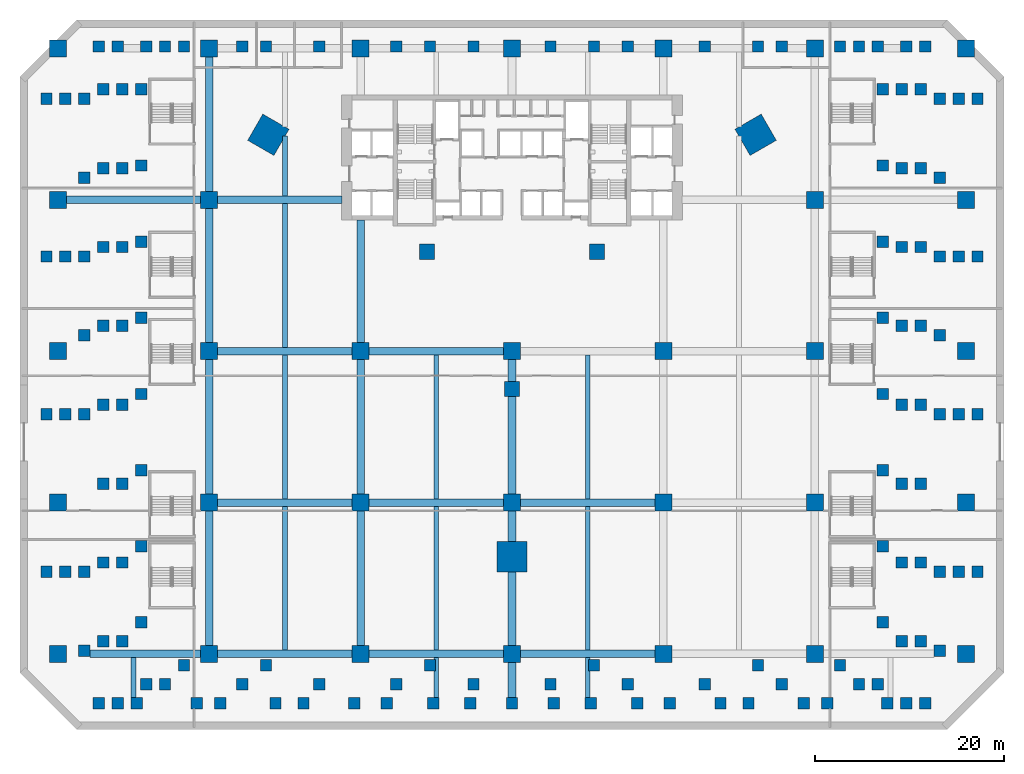
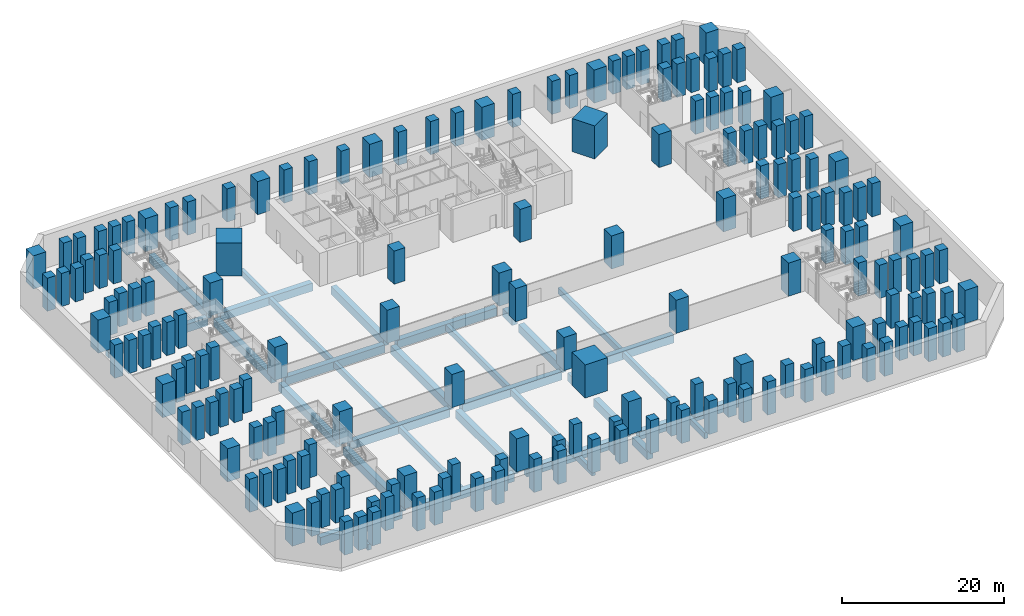
# One storey, part 1 of 24: 179 columns, 34 beams.
"""IFC4 building model written with IfcOpenShell, lengths in metres."""

from ifc_helpers import new_model, si_unit, direction, frame, origin, origin_2d, place, context, subcontext, project, spatial, rectangle, extrude, material, material_profile, profile_set, type_object, element, save


model = new_model("IFC4")

# Units and contexts
model_context = context("Model", 3, precision=1e-05, world=origin(), true_north=direction((0.0, 1.0)))
body_context = subcontext(model_context, "Body", "Model", "MODEL_VIEW")
ifc_project = project(units=[si_unit("LENGTHUNIT", "METRE"), si_unit("AREAUNIT", "SQUARE_METRE"), si_unit("VOLUMEUNIT", "CUBIC_METRE"), si_unit("PLANEANGLEUNIT", "RADIAN"), si_unit("MASSUNIT", "GRAM", prefix="KILO")], contexts=[model_context])

# Site, building, storey
site_placement = place(None, origin())
site = spatial("IfcSite", under=ifc_project, at=site_placement, CompositionType="ELEMENT")
building_placement = place(site_placement, origin())
building = spatial("IfcBuilding", under=site, at=building_placement, Name="Calabash Gate Tower", CompositionType="ELEMENT")
storey_placement = place(building_placement, frame((0.0, 0.0, -5.0)))
storey = spatial("IfcBuildingStorey", under=building, at=storey_placement, Name="B1", CompositionType="ELEMENT", Elevation=-5.0)

# Columns
ifc_material_1 = material(Name="Concrete C80/95", Category="concrete")
ifc_material_profile_1 = material_profile(ifc_material_1, rectangle(XDim=1.60009765625, YDim=1.60009765625, at=origin_2d()))
ifc_profile_set_1 = profile_set([ifc_material_profile_1], Name="Concrete C80/95")
column_type_1 = type_object("IfcColumnType", Name="Interior column RC 1600x1600 Concrete C80/95", PredefinedType="COLUMN", material=ifc_profile_set_1)
for number, where, z_axis, x_axis, name in (
    (1, (-9.0, 2.5, 0.0), (0.0, 0.0, 1.0), (1.0, 0.0, 0.0), "Interior column B1 I0"),
    (2, (9.0, 2.5, 0.0), (0.0, 0.0, 1.0), (1.0, 0.0, 0.0), "Interior column B1 I1"),
    (3, (0.0, -12.0, 0.0), (0.0, 0.0, 1.0), (1.0, 0.0, 0.0), "Interior column B1 I2"),
):
    element("IfcColumn", number, at=place(storey_placement, frame(where, z_axis=z_axis, x_axis=x_axis)), inside=storey, type_object=column_type_1, Name=name, PredefinedType="COLUMN", context=body_context, shape_type="SweptSolid", body=[
        extrude(rectangle(XDim=1.60009765625, YDim=1.60009765625, at=origin_2d()), origin(), (0.0, 0.0, 1.0), 5.0),
    ])
ifc_material_2 = material(Name="Concrete C80/95", Category="concrete")
ifc_material_profile_2 = material_profile(ifc_material_2, rectangle(XDim=3.199951171875, YDim=3.199951171875, at=origin_2d()))
ifc_profile_set_2 = profile_set([ifc_material_profile_2], Name="Concrete C80/95")
column_type_2 = type_object("IfcColumnType", Name="Mega column RC 3200x3200 Concrete C80/95", PredefinedType="COLUMN", material=ifc_profile_set_2)
for number, where, z_axis, x_axis, name in (
    (4, (-25.75, 14.866943359375, 0.0), (0.0, 0.0, 1.0), (0.866025386331, -0.50000003023, 0.0), "Mega column B1 NW"),
    (5, (25.75, 14.866943359375, 0.0), (0.0, 0.0, 1.0), (-0.866025386331, -0.50000003023, 0.0), "Mega column B1 NE"),
    (6, (0.0, -29.73291015625, 0.0), (0.0, 0.0, 1.0), (0.0, 1.0, 0.0), "Mega column B1 S"),
):
    element("IfcColumn", number, at=place(storey_placement, frame(where, z_axis=z_axis, x_axis=x_axis)), inside=storey, type_object=column_type_2, Name=name, PredefinedType="COLUMN", context=body_context, shape_type="SweptSolid", body=[
        extrude(rectangle(XDim=3.199951171875, YDim=3.199951171875, at=origin_2d()), origin(), (0.0, 0.0, 1.0), 5.0),
    ])
ifc_material_3 = material(Name="Concrete C80/95", Category="concrete")
ifc_material_profile_3 = material_profile(ifc_material_3, rectangle(XDim=1.800048828125, YDim=1.800048828125, at=origin_2d()))
ifc_profile_set_3 = profile_set([ifc_material_profile_3], Name="Concrete C80/95")
column_type_3 = type_object("IfcColumnType", Name="Podium column RC 1800x1800 Concrete C80/95", PredefinedType="COLUMN", material=ifc_profile_set_3)
for number, where, z_axis, x_axis, name in (
    (7, (-48.0, -40.0, 0.0), (0.0, 0.0, 1.0), (1.0, 0.0, 0.0), "Podium column B1 G1A"),
    (8, (-48.0, -24.0, 0.0), (0.0, 0.0, 1.0), (1.0, 0.0, 0.0), "Podium column B1 G1B"),
    (9, (-48.0, -8.0, 0.0), (0.0, 0.0, 1.0), (1.0, 0.0, 0.0), "Podium column B1 G1C"),
    (10, (-48.0, 8.0, 0.0), (0.0, 0.0, 1.0), (1.0, 0.0, 0.0), "Podium column B1 G1D"),
    (11, (-48.0, 24.0, 0.0), (0.0, 0.0, 1.0), (1.0, 0.0, 0.0), "Podium column B1 G1E"),
    (12, (-32.0, -40.0, 0.0), (0.0, 0.0, 1.0), (1.0, 0.0, 0.0), "Podium column B1 G2A"),
    (13, (-32.0, -24.0, 0.0), (0.0, 0.0, 1.0), (1.0, 0.0, 0.0), "Podium column B1 G2B"),
    (14, (-32.0, -8.0, 0.0), (0.0, 0.0, 1.0), (1.0, 0.0, 0.0), "Podium column B1 G2C"),
    (15, (-32.0, 8.0, 0.0), (0.0, 0.0, 1.0), (1.0, 0.0, 0.0), "Podium column B1 G2D"),
    (16, (-32.0, 24.0, 0.0), (0.0, 0.0, 1.0), (1.0, 0.0, 0.0), "Podium column B1 G2E"),
    (17, (-16.0, -40.0, 0.0), (0.0, 0.0, 1.0), (1.0, 0.0, 0.0), "Podium column B1 G3A"),
    (18, (-16.0, -24.0, 0.0), (0.0, 0.0, 1.0), (1.0, 0.0, 0.0), "Podium column B1 G3B"),
    (19, (-16.0, -8.0, 0.0), (0.0, 0.0, 1.0), (1.0, 0.0, 0.0), "Podium column B1 G3C"),
    (20, (-16.0, 24.0, 0.0), (0.0, 0.0, 1.0), (1.0, 0.0, 0.0), "Podium column B1 G3E"),
    (21, (0.0, -40.0, 0.0), (0.0, 0.0, 1.0), (1.0, 0.0, 0.0), "Podium column B1 G4A"),
    (22, (0.0, -24.0, 0.0), (0.0, 0.0, 1.0), (1.0, 0.0, 0.0), "Podium column B1 G4B"),
    (23, (0.0, -8.0, 0.0), (0.0, 0.0, 1.0), (1.0, 0.0, 0.0), "Podium column B1 G4C"),
    (24, (0.0, 24.0, 0.0), (0.0, 0.0, 1.0), (1.0, 0.0, 0.0), "Podium column B1 G4E"),
    (25, (16.0, -40.0, 0.0), (0.0, 0.0, 1.0), (1.0, 0.0, 0.0), "Podium column B1 G5A"),
    (26, (16.0, -24.0, 0.0), (0.0, 0.0, 1.0), (1.0, 0.0, 0.0), "Podium column B1 G5B"),
    (27, (16.0, -8.0, 0.0), (0.0, 0.0, 1.0), (1.0, 0.0, 0.0), "Podium column B1 G5C"),
    (28, (16.0, 24.0, 0.0), (0.0, 0.0, 1.0), (1.0, 0.0, 0.0), "Podium column B1 G5E"),
    (29, (32.0, -40.0, 0.0), (0.0, 0.0, 1.0), (1.0, 0.0, 0.0), "Podium column B1 G6A"),
    (30, (32.0, -24.0, 0.0), (0.0, 0.0, 1.0), (1.0, 0.0, 0.0), "Podium column B1 G6B"),
    (31, (32.0, -8.0, 0.0), (0.0, 0.0, 1.0), (1.0, 0.0, 0.0), "Podium column B1 G6C"),
    (32, (32.0, 8.0, 0.0), (0.0, 0.0, 1.0), (1.0, 0.0, 0.0), "Podium column B1 G6D"),
    (33, (32.0, 24.0, 0.0), (0.0, 0.0, 1.0), (1.0, 0.0, 0.0), "Podium column B1 G6E"),
    (34, (48.0, -40.0, 0.0), (0.0, 0.0, 1.0), (1.0, 0.0, 0.0), "Podium column B1 G7A"),
    (35, (48.0, -24.0, 0.0), (0.0, 0.0, 1.0), (1.0, 0.0, 0.0), "Podium column B1 G7B"),
    (36, (48.0, -8.0, 0.0), (0.0, 0.0, 1.0), (1.0, 0.0, 0.0), "Podium column B1 G7C"),
    (37, (48.0, 8.0, 0.0), (0.0, 0.0, 1.0), (1.0, 0.0, 0.0), "Podium column B1 G7D"),
    (38, (48.0, 24.0, 0.0), (0.0, 0.0, 1.0), (1.0, 0.0, 0.0), "Podium column B1 G7E"),
):
    element("IfcColumn", number, at=place(storey_placement, frame(where, z_axis=z_axis, x_axis=x_axis)), inside=storey, type_object=column_type_3, Name=name, PredefinedType="COLUMN", context=body_context, shape_type="SweptSolid", body=[
        extrude(rectangle(XDim=1.800048828125, YDim=1.800048828125, at=origin_2d()), origin(), (0.0, 0.0, 1.0), 5.0),
    ])
ifc_material_4 = material(Name="Concrete C80/95", Category="concrete")
ifc_material_profile_4 = material_profile(ifc_material_4, rectangle(XDim=1.199951171875, YDim=1.199951171875, at=origin_2d()))
ifc_profile_set_4 = profile_set([ifc_material_profile_4], Name="Concrete C80/95")
column_type_4 = type_object("IfcColumnType", Name="Podium edge column RC 1200x1200 Concrete C80/95", PredefinedType="COLUMN", material=ifc_profile_set_4)
for number, where, z_axis, x_axis, name in (
    (39, (-34.6689453125, -41.199951171875, 0.0), (0.0, 0.0, 1.0), (1.0, 0.0, 0.0), "Podium edge column B1 E01"),
    (40, (-39.199951171875, -36.6689453125, 0.0), (0.0, 0.0, 1.0), (1.0, 0.0, 0.0), "Podium edge column B1 E02"),
    (41, (-39.199951171875, 19.6689453125, 0.0), (0.0, 0.0, 1.0), (1.0, 0.0, 0.0), "Podium edge column B1 E03"),
    (42, (-34.6689453125, 24.199951171875, 0.0), (0.0, 0.0, 1.0), (1.0, 0.0, 0.0), "Podium edge column B1 E04"),
    (43, (34.6689453125, 24.199951171875, 0.0), (0.0, 0.0, 1.0), (1.0, 0.0, 0.0), "Podium edge column B1 E05"),
    (44, (39.199951171875, 19.6689453125, 0.0), (0.0, 0.0, 1.0), (1.0, 0.0, 0.0), "Podium edge column B1 E06"),
    (45, (39.199951171875, -36.6689453125, 0.0), (0.0, 0.0, 1.0), (1.0, 0.0, 0.0), "Podium edge column B1 E07"),
    (46, (34.6689453125, -41.199951171875, 0.0), (0.0, 0.0, 1.0), (1.0, 0.0, 0.0), "Podium edge column B1 E08"),
    (47, (-39.199951171875, -28.6201171875, 0.0), (0.0, 0.0, 1.0), (1.0, 0.0, 0.0), "Podium edge column B1 E09"),
    (48, (-39.199951171875, -20.572021484375, 0.0), (0.0, 0.0, 1.0), (1.0, 0.0, 0.0), "Podium edge column B1 E10"),
    (49, (-39.199951171875, -12.52392578125, 0.0), (0.0, 0.0, 1.0), (1.0, 0.0, 0.0), "Podium edge column B1 E11"),
    (50, (-39.199951171875, -4.47607421875, 0.0), (0.0, 0.0, 1.0), (1.0, 0.0, 0.0), "Podium edge column B1 E12"),
    (51, (-39.199951171875, 3.572021484375, 0.0), (0.0, 0.0, 1.0), (1.0, 0.0, 0.0), "Podium edge column B1 E13"),
    (52, (-39.199951171875, 11.6201171875, 0.0), (0.0, 0.0, 1.0), (1.0, 0.0, 0.0), "Podium edge column B1 E14"),
    (53, (-26.001953125, 24.199951171875, 0.0), (0.0, 0.0, 1.0), (1.0, 0.0, 0.0), "Podium edge column B1 E15"),
    (54, (-8.6669921875, 24.199951171875, 0.0), (0.0, 0.0, 1.0), (1.0, 0.0, 0.0), "Podium edge column B1 E16"),
    (55, (8.6669921875, 24.199951171875, 0.0), (0.0, 0.0, 1.0), (1.0, 0.0, 0.0), "Podium edge column B1 E17"),
    (56, (26.001953125, 24.199951171875, 0.0), (0.0, 0.0, 1.0), (1.0, 0.0, 0.0), "Podium edge column B1 E18"),
    (57, (39.199951171875, 11.6201171875, 0.0), (0.0, 0.0, 1.0), (1.0, 0.0, 0.0), "Podium edge column B1 E19"),
    (58, (39.199951171875, 3.572021484375, 0.0), (0.0, 0.0, 1.0), (1.0, 0.0, 0.0), "Podium edge column B1 E20"),
    (59, (39.199951171875, -4.47607421875, 0.0), (0.0, 0.0, 1.0), (1.0, 0.0, 0.0), "Podium edge column B1 E21"),
    (60, (39.199951171875, -12.52392578125, 0.0), (0.0, 0.0, 1.0), (1.0, 0.0, 0.0), "Podium edge column B1 E22"),
    (61, (39.199951171875, -20.572021484375, 0.0), (0.0, 0.0, 1.0), (1.0, 0.0, 0.0), "Podium edge column B1 E23"),
    (62, (39.199951171875, -28.6201171875, 0.0), (0.0, 0.0, 1.0), (1.0, 0.0, 0.0), "Podium edge column B1 E24"),
    (63, (26.001953125, -41.199951171875, 0.0), (0.0, 0.0, 1.0), (1.0, 0.0, 0.0), "Podium edge column B1 E25"),
    (64, (8.6669921875, -41.199951171875, 0.0), (0.0, 0.0, 1.0), (1.0, 0.0, 0.0), "Podium edge column B1 E26"),
    (65, (-8.6669921875, -41.199951171875, 0.0), (0.0, 0.0, 1.0), (1.0, 0.0, 0.0), "Podium edge column B1 E27"),
    (66, (-26.001953125, -41.199951171875, 0.0), (0.0, 0.0, 1.0), (1.0, 0.0, 0.0), "Podium edge column B1 E28"),
    (67, (-36.6689453125, -43.199951171875, 0.0), (0.0, 0.0, 1.0), (1.0, 0.0, 0.0), "Podium edge column B1 E29"),
    (68, (-41.199951171875, -38.6689453125, 0.0), (0.0, 0.0, 1.0), (1.0, 0.0, 0.0), "Podium edge column B1 E30"),
    (69, (-41.199951171875, 19.6689453125, 0.0), (0.0, 0.0, 1.0), (1.0, 0.0, 0.0), "Podium edge column B1 E31"),
    (70, (-36.6689453125, 24.199951171875, 0.0), (0.0, 0.0, 1.0), (1.0, 0.0, 0.0), "Podium edge column B1 E32"),
    (71, (36.6689453125, 24.199951171875, 0.0), (0.0, 0.0, 1.0), (1.0, 0.0, 0.0), "Podium edge column B1 E33"),
    (72, (41.199951171875, 19.6689453125, 0.0), (0.0, 0.0, 1.0), (1.0, 0.0, 0.0), "Podium edge column B1 E34"),
    (73, (41.199951171875, -38.6689453125, 0.0), (0.0, 0.0, 1.0), (1.0, 0.0, 0.0), "Podium edge column B1 E35"),
    (74, (36.6689453125, -43.199951171875, 0.0), (0.0, 0.0, 1.0), (1.0, 0.0, 0.0), "Podium edge column B1 E36"),
    (75, (-41.199951171875, -30.3330078125, 0.0), (0.0, 0.0, 1.0), (1.0, 0.0, 0.0), "Podium edge column B1 E37"),
    (76, (-41.199951171875, -22.0009765625, 0.0), (0.0, 0.0, 1.0), (1.0, 0.0, 0.0), "Podium edge column B1 E38"),
    (77, (-41.199951171875, -13.6669921875, 0.0), (0.0, 0.0, 1.0), (1.0, 0.0, 0.0), "Podium edge column B1 E39"),
    (78, (-41.199951171875, -5.3330078125, 0.0), (0.0, 0.0, 1.0), (1.0, 0.0, 0.0), "Podium edge column B1 E40"),
    (79, (-41.199951171875, 3.0009765625, 0.0), (0.0, 0.0, 1.0), (1.0, 0.0, 0.0), "Podium edge column B1 E41"),
    (80, (-41.199951171875, 11.3369140625, 0.0), (0.0, 0.0, 1.0), (1.0, 0.0, 0.0), "Podium edge column B1 E42"),
    (81, (-28.52001953125, 24.199951171875, 0.0), (0.0, 0.0, 1.0), (1.0, 0.0, 0.0), "Podium edge column B1 E43"),
    (82, (-20.3720703125, 24.199951171875, 0.0), (0.0, 0.0, 1.0), (1.0, 0.0, 0.0), "Podium edge column B1 E44"),
    (83, (-12.222900390625, 24.199951171875, 0.0), (0.0, 0.0, 1.0), (1.0, 0.0, 0.0), "Podium edge column B1 E45"),
    (84, (-4.073974609375, 24.199951171875, 0.0), (0.0, 0.0, 1.0), (1.0, 0.0, 0.0), "Podium edge column B1 E46"),
    (85, (4.073974609375, 24.199951171875, 0.0), (0.0, 0.0, 1.0), (1.0, 0.0, 0.0), "Podium edge column B1 E47"),
    (86, (12.222900390625, 24.199951171875, 0.0), (0.0, 0.0, 1.0), (1.0, 0.0, 0.0), "Podium edge column B1 E48"),
    (87, (20.3720703125, 24.199951171875, 0.0), (0.0, 0.0, 1.0), (1.0, 0.0, 0.0), "Podium edge column B1 E49"),
    (88, (28.52001953125, 24.199951171875, 0.0), (0.0, 0.0, 1.0), (1.0, 0.0, 0.0), "Podium edge column B1 E50"),
    (89, (41.199951171875, 11.3369140625, 0.0), (0.0, 0.0, 1.0), (1.0, 0.0, 0.0), "Podium edge column B1 E51"),
    (90, (41.199951171875, 3.0009765625, 0.0), (0.0, 0.0, 1.0), (1.0, 0.0, 0.0), "Podium edge column B1 E52"),
    (91, (41.199951171875, -5.3330078125, 0.0), (0.0, 0.0, 1.0), (1.0, 0.0, 0.0), "Podium edge column B1 E53"),
    (92, (41.199951171875, -13.6669921875, 0.0), (0.0, 0.0, 1.0), (1.0, 0.0, 0.0), "Podium edge column B1 E54"),
    (93, (41.199951171875, -22.0009765625, 0.0), (0.0, 0.0, 1.0), (1.0, 0.0, 0.0), "Podium edge column B1 E55"),
    (94, (41.199951171875, -30.3330078125, 0.0), (0.0, 0.0, 1.0), (1.0, 0.0, 0.0), "Podium edge column B1 E56"),
    (95, (28.52001953125, -43.199951171875, 0.0), (0.0, 0.0, 1.0), (1.0, 0.0, 0.0), "Podium edge column B1 E57"),
    (96, (20.3720703125, -43.199951171875, 0.0), (0.0, 0.0, 1.0), (1.0, 0.0, 0.0), "Podium edge column B1 E58"),
    (97, (12.222900390625, -43.199951171875, 0.0), (0.0, 0.0, 1.0), (1.0, 0.0, 0.0), "Podium edge column B1 E59"),
    (98, (4.073974609375, -43.199951171875, 0.0), (0.0, 0.0, 1.0), (1.0, 0.0, 0.0), "Podium edge column B1 E60"),
    (99, (-4.073974609375, -43.199951171875, 0.0), (0.0, 0.0, 1.0), (1.0, 0.0, 0.0), "Podium edge column B1 E61"),
    (100, (-12.222900390625, -43.199951171875, 0.0), (0.0, 0.0, 1.0), (1.0, 0.0, 0.0), "Podium edge column B1 E62"),
    (101, (-20.3720703125, -43.199951171875, 0.0), (0.0, 0.0, 1.0), (1.0, 0.0, 0.0), "Podium edge column B1 E63"),
    (102, (-28.52001953125, -43.199951171875, 0.0), (0.0, 0.0, 1.0), (1.0, 0.0, 0.0), "Podium edge column B1 E64"),
    (103, (-38.6689453125, -43.199951171875, 0.0), (0.0, 0.0, 1.0), (1.0, 0.0, 0.0), "Podium edge column B1 E65"),
    (104, (-43.199951171875, -38.6689453125, 0.0), (0.0, 0.0, 1.0), (1.0, 0.0, 0.0), "Podium edge column B1 E66"),
    (105, (-43.199951171875, 19.6689453125, 0.0), (0.0, 0.0, 1.0), (1.0, 0.0, 0.0), "Podium edge column B1 E67"),
    (106, (-38.6689453125, 24.199951171875, 0.0), (0.0, 0.0, 1.0), (1.0, 0.0, 0.0), "Podium edge column B1 E68"),
    (107, (38.6689453125, 24.199951171875, 0.0), (0.0, 0.0, 1.0), (1.0, 0.0, 0.0), "Podium edge column B1 E69"),
    (108, (43.199951171875, 19.6689453125, 0.0), (0.0, 0.0, 1.0), (1.0, 0.0, 0.0), "Podium edge column B1 E70"),
    (109, (43.199951171875, -38.6689453125, 0.0), (0.0, 0.0, 1.0), (1.0, 0.0, 0.0), "Podium edge column B1 E71"),
    (110, (38.6689453125, -43.199951171875, 0.0), (0.0, 0.0, 1.0), (1.0, 0.0, 0.0), "Podium edge column B1 E72"),
    (111, (-43.199951171875, -30.3330078125, 0.0), (0.0, 0.0, 1.0), (1.0, 0.0, 0.0), "Podium edge column B1 E73"),
    (112, (-43.199951171875, -22.0009765625, 0.0), (0.0, 0.0, 1.0), (1.0, 0.0, 0.0), "Podium edge column B1 E74"),
    (113, (-43.199951171875, -13.6669921875, 0.0), (0.0, 0.0, 1.0), (1.0, 0.0, 0.0), "Podium edge column B1 E75"),
    (114, (-43.199951171875, -5.3330078125, 0.0), (0.0, 0.0, 1.0), (1.0, 0.0, 0.0), "Podium edge column B1 E76"),
    (115, (-43.199951171875, 3.0009765625, 0.0), (0.0, 0.0, 1.0), (1.0, 0.0, 0.0), "Podium edge column B1 E77"),
    (116, (-43.199951171875, 11.3369140625, 0.0), (0.0, 0.0, 1.0), (1.0, 0.0, 0.0), "Podium edge column B1 E78"),
    (117, (43.199951171875, 11.3369140625, 0.0), (0.0, 0.0, 1.0), (1.0, 0.0, 0.0), "Podium edge column B1 E79"),
    (118, (43.199951171875, 3.0009765625, 0.0), (0.0, 0.0, 1.0), (1.0, 0.0, 0.0), "Podium edge column B1 E80"),
    (119, (43.199951171875, -5.3330078125, 0.0), (0.0, 0.0, 1.0), (1.0, 0.0, 0.0), "Podium edge column B1 E81"),
    (120, (43.199951171875, -13.6669921875, 0.0), (0.0, 0.0, 1.0), (1.0, 0.0, 0.0), "Podium edge column B1 E82"),
    (121, (43.199951171875, -22.0009765625, 0.0), (0.0, 0.0, 1.0), (1.0, 0.0, 0.0), "Podium edge column B1 E83"),
    (122, (43.199951171875, -30.3330078125, 0.0), (0.0, 0.0, 1.0), (1.0, 0.0, 0.0), "Podium edge column B1 E84"),
    (123, (-39.6689453125, -45.199951171875, 0.0), (0.0, 0.0, 1.0), (1.0, 0.0, 0.0), "Podium edge column B1 E85"),
    (124, (-45.199951171875, -39.6689453125, 0.0), (0.0, 0.0, 1.0), (1.0, 0.0, 0.0), "Podium edge column B1 E86"),
    (125, (-45.199951171875, 18.6689453125, 0.0), (0.0, 0.0, 1.0), (1.0, 0.0, 0.0), "Podium edge column B1 E87"),
    (126, (45.199951171875, 18.6689453125, 0.0), (0.0, 0.0, 1.0), (1.0, 0.0, 0.0), "Podium edge column B1 E88"),
    (127, (45.199951171875, -39.6689453125, 0.0), (0.0, 0.0, 1.0), (1.0, 0.0, 0.0), "Podium edge column B1 E89"),
    (128, (39.6689453125, -45.199951171875, 0.0), (0.0, 0.0, 1.0), (1.0, 0.0, 0.0), "Podium edge column B1 E90"),
    (129, (-45.199951171875, -31.3330078125, 0.0), (0.0, 0.0, 1.0), (1.0, 0.0, 0.0), "Podium edge column B1 E91"),
    (130, (-45.199951171875, -14.6669921875, 0.0), (0.0, 0.0, 1.0), (1.0, 0.0, 0.0), "Podium edge column B1 E92"),
    (131, (-45.199951171875, -6.3330078125, 0.0), (0.0, 0.0, 1.0), (1.0, 0.0, 0.0), "Podium edge column B1 E93"),
    (132, (-45.199951171875, 2.0009765625, 0.0), (0.0, 0.0, 1.0), (1.0, 0.0, 0.0), "Podium edge column B1 E94"),
    (133, (-45.199951171875, 10.3369140625, 0.0), (0.0, 0.0, 1.0), (1.0, 0.0, 0.0), "Podium edge column B1 E95"),
    (134, (45.199951171875, 10.3369140625, 0.0), (0.0, 0.0, 1.0), (1.0, 0.0, 0.0), "Podium edge column B1 E96"),
    (135, (45.199951171875, 2.0009765625, 0.0), (0.0, 0.0, 1.0), (1.0, 0.0, 0.0), "Podium edge column B1 E97"),
    (136, (45.199951171875, -6.3330078125, 0.0), (0.0, 0.0, 1.0), (1.0, 0.0, 0.0), "Podium edge column B1 E98"),
    (137, (45.199951171875, -14.6669921875, 0.0), (0.0, 0.0, 1.0), (1.0, 0.0, 0.0), "Podium edge column B1 E99"),
    (138, (45.199951171875, -31.3330078125, 0.0), (0.0, 0.0, 1.0), (1.0, 0.0, 0.0), "Podium edge column B1 E100"),
    (139, (30.85302734375, -45.199951171875, 0.0), (0.0, 0.0, 1.0), (1.0, 0.0, 0.0), "Podium edge column B1 E101"),
    (140, (22.0380859375, -45.199951171875, 0.0), (0.0, 0.0, 1.0), (1.0, 0.0, 0.0), "Podium edge column B1 E102"),
    (141, (13.222900390625, -45.199951171875, 0.0), (0.0, 0.0, 1.0), (1.0, 0.0, 0.0), "Podium edge column B1 E103"),
    (142, (4.407958984375, -45.199951171875, 0.0), (0.0, 0.0, 1.0), (1.0, 0.0, 0.0), "Podium edge column B1 E104"),
    (143, (-4.407958984375, -45.199951171875, 0.0), (0.0, 0.0, 1.0), (1.0, 0.0, 0.0), "Podium edge column B1 E105"),
    (144, (-13.222900390625, -45.199951171875, 0.0), (0.0, 0.0, 1.0), (1.0, 0.0, 0.0), "Podium edge column B1 E106"),
    (145, (-22.0380859375, -45.199951171875, 0.0), (0.0, 0.0, 1.0), (1.0, 0.0, 0.0), "Podium edge column B1 E107"),
    (146, (-30.85302734375, -45.199951171875, 0.0), (0.0, 0.0, 1.0), (1.0, 0.0, 0.0), "Podium edge column B1 E108"),
    (147, (-41.6689453125, -45.199951171875, 0.0), (0.0, 0.0, 1.0), (1.0, 0.0, 0.0), "Podium edge column B1 E109"),
    (148, (-47.199951171875, 18.6689453125, 0.0), (0.0, 0.0, 1.0), (1.0, 0.0, 0.0), "Podium edge column B1 E110"),
    (149, (-41.6689453125, 24.199951171875, 0.0), (0.0, 0.0, 1.0), (1.0, 0.0, 0.0), "Podium edge column B1 E111"),
    (150, (41.6689453125, 24.199951171875, 0.0), (0.0, 0.0, 1.0), (1.0, 0.0, 0.0), "Podium edge column B1 E112"),
    (151, (47.199951171875, 18.6689453125, 0.0), (0.0, 0.0, 1.0), (1.0, 0.0, 0.0), "Podium edge column B1 E113"),
    (152, (41.6689453125, -45.199951171875, 0.0), (0.0, 0.0, 1.0), (1.0, 0.0, 0.0), "Podium edge column B1 E114"),
    (153, (-47.199951171875, -31.3330078125, 0.0), (0.0, 0.0, 1.0), (1.0, 0.0, 0.0), "Podium edge column B1 E115"),
    (154, (-47.199951171875, -14.6669921875, 0.0), (0.0, 0.0, 1.0), (1.0, 0.0, 0.0), "Podium edge column B1 E116"),
    (155, (-47.199951171875, 2.0009765625, 0.0), (0.0, 0.0, 1.0), (1.0, 0.0, 0.0), "Podium edge column B1 E117"),
    (156, (47.199951171875, 2.0009765625, 0.0), (0.0, 0.0, 1.0), (1.0, 0.0, 0.0), "Podium edge column B1 E118"),
    (157, (47.199951171875, -14.6669921875, 0.0), (0.0, 0.0, 1.0), (1.0, 0.0, 0.0), "Podium edge column B1 E119"),
    (158, (47.199951171875, -31.3330078125, 0.0), (0.0, 0.0, 1.0), (1.0, 0.0, 0.0), "Podium edge column B1 E120"),
    (159, (33.3369140625, -45.199951171875, 0.0), (0.0, 0.0, 1.0), (1.0, 0.0, 0.0), "Podium edge column B1 E121"),
    (160, (25.0009765625, -45.199951171875, 0.0), (0.0, 0.0, 1.0), (1.0, 0.0, 0.0), "Podium edge column B1 E122"),
    (161, (16.66796875, -45.199951171875, 0.0), (0.0, 0.0, 1.0), (1.0, 0.0, 0.0), "Podium edge column B1 E123"),
    (162, (8.333984375, -45.199951171875, 0.0), (0.0, 0.0, 1.0), (1.0, 0.0, 0.0), "Podium edge column B1 E124"),
    (163, (0.0, -45.199951171875, 0.0), (0.0, 0.0, 1.0), (1.0, 0.0, 0.0), "Podium edge column B1 E125"),
    (164, (-8.333984375, -45.199951171875, 0.0), (0.0, 0.0, 1.0), (1.0, 0.0, 0.0), "Podium edge column B1 E126"),
    (165, (-16.66796875, -45.199951171875, 0.0), (0.0, 0.0, 1.0), (1.0, 0.0, 0.0), "Podium edge column B1 E127"),
    (166, (-25.0009765625, -45.199951171875, 0.0), (0.0, 0.0, 1.0), (1.0, 0.0, 0.0), "Podium edge column B1 E128"),
    (167, (-33.3330078125, -45.199951171875, 0.0), (0.0, 0.0, 1.0), (1.0, 0.0, 0.0), "Podium edge column B1 E129"),
    (168, (-43.6689453125, -45.199951171875, 0.0), (0.0, 0.0, 1.0), (1.0, 0.0, 0.0), "Podium edge column B1 E130"),
    (169, (-49.199951171875, 18.6689453125, 0.0), (0.0, 0.0, 1.0), (1.0, 0.0, 0.0), "Podium edge column B1 E131"),
    (170, (-43.6689453125, 24.199951171875, 0.0), (0.0, 0.0, 1.0), (1.0, 0.0, 0.0), "Podium edge column B1 E132"),
    (171, (43.6689453125, 24.199951171875, 0.0), (0.0, 0.0, 1.0), (1.0, 0.0, 0.0), "Podium edge column B1 E133"),
    (172, (49.199951171875, 18.6689453125, 0.0), (0.0, 0.0, 1.0), (1.0, 0.0, 0.0), "Podium edge column B1 E134"),
    (173, (43.6689453125, -45.199951171875, 0.0), (0.0, 0.0, 1.0), (1.0, 0.0, 0.0), "Podium edge column B1 E135"),
    (174, (-49.199951171875, -31.3330078125, 0.0), (0.0, 0.0, 1.0), (1.0, 0.0, 0.0), "Podium edge column B1 E136"),
    (175, (-49.199951171875, -14.6669921875, 0.0), (0.0, 0.0, 1.0), (1.0, 0.0, 0.0), "Podium edge column B1 E137"),
    (176, (-49.199951171875, 2.0009765625, 0.0), (0.0, 0.0, 1.0), (1.0, 0.0, 0.0), "Podium edge column B1 E138"),
    (177, (49.199951171875, 2.0009765625, 0.0), (0.0, 0.0, 1.0), (1.0, 0.0, 0.0), "Podium edge column B1 E139"),
    (178, (49.199951171875, -14.6669921875, 0.0), (0.0, 0.0, 1.0), (1.0, 0.0, 0.0), "Podium edge column B1 E140"),
    (179, (49.199951171875, -31.3330078125, 0.0), (0.0, 0.0, 1.0), (1.0, 0.0, 0.0), "Podium edge column B1 E141"),
):
    element("IfcColumn", number, at=place(storey_placement, frame(where, z_axis=z_axis, x_axis=x_axis)), inside=storey, type_object=column_type_4, Name=name, PredefinedType="COLUMN", context=body_context, shape_type="SweptSolid", body=[
        extrude(rectangle(XDim=1.199951171875, YDim=1.199951171875, at=origin_2d()), origin(), (0.0, 0.0, 1.0), 5.0),
    ])

# Beams
ifc_material_5 = material(Name="Concrete C50/60", Category="concrete")
ifc_material_profile_5 = material_profile(ifc_material_5, rectangle(XDim=0.5, YDim=0.89990234375, at=origin_2d()))
ifc_profile_set_5 = profile_set([ifc_material_profile_5], Name="Concrete C50/60")
beam_type_1 = type_object("IfcBeamType", Name="Floor beam RC 500x900 Concrete C50/60", PredefinedType="BEAM", material=ifc_profile_set_5)
beam_1_placement = place(storey_placement, frame((-40.0, -44.60009765625, -0.949951171875), z_axis=(0.0, 1.0, 0.0), x_axis=(-1.0, 0.0, 0.0)))
element("IfcBeam", 180, at=beam_1_placement, inside=storey, type_object=beam_type_1, Name="Floor beam B1 1", PredefinedType="BEAM", context=body_context, shape_type="SweptSolid", body=[
    extrude(rectangle(XDim=0.5, YDim=0.89990234375, at=origin_2d()), origin(), (0.0, 0.0, 1.0), 4.2001953125),
])
for number, where, z_axis, x_axis, name in (
    (181, (-24.0, -39.60009765625, -0.949951171875), (0.0, 1.0, 0.0), (-1.0, 0.0, 0.0), "Floor beam B1 2"),
    (182, (-24.0, -23.60009765625, -0.949951171875), (0.0, 1.0, 0.0), (-1.0, 0.0, 0.0), "Floor beam B1 3"),
    (183, (-24.0, -7.60009765625, -0.949951171875), (0.0, 1.0, 0.0), (-1.0, 0.0, 0.0), "Floor beam B1 4"),
):
    element("IfcBeam", number, at=place(storey_placement, frame(where, z_axis=z_axis, x_axis=x_axis)), inside=storey, type_object=beam_type_1, Name=name, PredefinedType="BEAM", context=body_context, shape_type="SweptSolid", body=[
        extrude(rectangle(XDim=0.5, YDim=0.89990234375, at=origin_2d()), origin(), (0.0, 0.0, 1.0), 15.2001953125),
    ])
beam_2_placement = place(storey_placement, frame((-24.0, 8.39990234375, -0.949951171875), z_axis=(0.0, 1.0, 0.0), x_axis=(-1.0, 0.0, 0.0)))
element("IfcBeam", 184, at=beam_2_placement, inside=storey, type_object=beam_type_1, Name="Floor beam B1 5", PredefinedType="BEAM", context=body_context, shape_type="SweptSolid", body=[
    extrude(rectangle(XDim=0.5, YDim=0.89990234375, at=origin_2d()), origin(), (0.0, 0.0, 1.0), 6.319091796875),
])
beam_3_placement = place(storey_placement, frame((-8.0, -44.60009765625, -0.949951171875), z_axis=(0.0, 1.0, 0.0), x_axis=(-1.0, 0.0, 0.0)))
element("IfcBeam", 185, at=beam_3_placement, inside=storey, type_object=beam_type_1, Name="Floor beam B1 7", PredefinedType="BEAM", context=body_context, shape_type="SweptSolid", body=[
    extrude(rectangle(XDim=0.5, YDim=0.89990234375, at=origin_2d()), origin(), (0.0, 0.0, 1.0), 4.232177734375),
])
for number, where, z_axis, x_axis, name in (
    (186, (-8.0, -39.60009765625, -0.949951171875), (0.0, 1.0, 0.0), (-1.0, 0.0, 0.0), "Floor beam B1 8"),
    (187, (-8.0, -23.60009765625, -0.949951171875), (0.0, 1.0, 0.0), (-1.0, 0.0, 0.0), "Floor beam B1 9"),
):
    element("IfcBeam", number, at=place(storey_placement, frame(where, z_axis=z_axis, x_axis=x_axis)), inside=storey, type_object=beam_type_1, Name=name, PredefinedType="BEAM", context=body_context, shape_type="SweptSolid", body=[
        extrude(rectangle(XDim=0.5, YDim=0.89990234375, at=origin_2d()), origin(), (0.0, 0.0, 1.0), 15.2001953125),
    ])
beam_4_placement = place(storey_placement, frame((8.0, -44.60009765625, -0.949951171875), z_axis=(0.0, 1.0, 0.0), x_axis=(-1.0, 0.0, 0.0)))
element("IfcBeam", 188, at=beam_4_placement, inside=storey, type_object=beam_type_1, Name="Floor beam B1 11", PredefinedType="BEAM", context=body_context, shape_type="SweptSolid", body=[
    extrude(rectangle(XDim=0.5, YDim=0.89990234375, at=origin_2d()), origin(), (0.0, 0.0, 1.0), 4.232177734375),
])
for number, where, z_axis, x_axis, name in (
    (189, (8.0, -39.60009765625, -0.949951171875), (0.0, 1.0, 0.0), (-1.0, 0.0, 0.0), "Floor beam B1 12"),
    (190, (8.0, -23.60009765625, -0.949951171875), (0.0, 1.0, 0.0), (-1.0, 0.0, 0.0), "Floor beam B1 13"),
):
    element("IfcBeam", number, at=place(storey_placement, frame(where, z_axis=z_axis, x_axis=x_axis)), inside=storey, type_object=beam_type_1, Name=name, PredefinedType="BEAM", context=body_context, shape_type="SweptSolid", body=[
        extrude(rectangle(XDim=0.5, YDim=0.89990234375, at=origin_2d()), origin(), (0.0, 0.0, 1.0), 15.2001953125),
    ])
ifc_material_6 = material(Name="Concrete C50/60", Category="concrete")
ifc_material_profile_6 = material_profile(ifc_material_6, rectangle(XDim=0.800048828125, YDim=1.199951171875, at=origin_2d()))
ifc_profile_set_6 = profile_set([ifc_material_profile_6], Name="Concrete C50/60")
beam_type_2 = type_object("IfcBeamType", Name="Grid girder RC 800x1200 Concrete C50/60", PredefinedType="BEAM", material=ifc_profile_set_6)
for number, where, z_axis, x_axis, name in (
    (191, (-32.0, -39.10009765625, -1.10009765625), (0.0, 1.0, 0.0), (-1.0, 0.0, 0.0), "Grid girder B1 1"),
    (192, (-32.0, -23.10009765625, -1.10009765625), (0.0, 1.0, 0.0), (-1.0, 0.0, 0.0), "Grid girder B1 2"),
    (193, (-32.0, -7.10009765625, -1.10009765625), (0.0, 1.0, 0.0), (-1.0, 0.0, 0.0), "Grid girder B1 3"),
    (194, (-32.0, 8.89990234375, -1.10009765625), (0.0, 1.0, 0.0), (-1.0, 0.0, 0.0), "Grid girder B1 4"),
    (195, (-16.0, -39.10009765625, -1.10009765625), (0.0, 1.0, 0.0), (-1.0, 0.0, 0.0), "Grid girder B1 5"),
    (196, (-16.0, -23.10009765625, -1.10009765625), (0.0, 1.0, 0.0), (-1.0, 0.0, 0.0), "Grid girder B1 6"),
):
    element("IfcBeam", number, at=place(storey_placement, frame(where, z_axis=z_axis, x_axis=x_axis)), inside=storey, type_object=beam_type_2, Name=name, PredefinedType="BEAM", context=body_context, shape_type="SweptSolid", body=[
        extrude(rectangle(XDim=0.800048828125, YDim=1.199951171875, at=origin_2d()), origin(), (0.0, 0.0, 1.0), 14.2001953125),
    ])
beam_5_placement = place(storey_placement, frame((-16.0, -7.10009765625, -1.10009765625), z_axis=(0.0, 1.0, 0.0), x_axis=(-1.0, 0.0, 0.0)))
element("IfcBeam", 197, at=beam_5_placement, inside=storey, type_object=beam_type_2, Name="Grid girder B1 7", PredefinedType="BEAM", context=body_context, shape_type="SweptSolid", body=[
    extrude(rectangle(XDim=0.800048828125, YDim=1.199951171875, at=origin_2d()), origin(), (0.0, 0.0, 1.0), 12.953125),
])
beam_6_placement = place(storey_placement, frame((0.0, -44.60009765625, -1.10009765625), z_axis=(0.0, 1.0, 0.0), x_axis=(-1.0, 0.0, 0.0)))
element("IfcBeam", 198, at=beam_6_placement, inside=storey, type_object=beam_type_2, Name="Grid girder B1 9", PredefinedType="BEAM", context=body_context, shape_type="SweptSolid", body=[
    extrude(rectangle(XDim=0.800048828125, YDim=1.199951171875, at=origin_2d()), origin(), (0.0, 0.0, 1.0), 3.7001953125),
])
beam_7_placement = place(storey_placement, frame((0.0, -39.10009765625, -1.10009765625), z_axis=(0.0, 1.0, 0.0), x_axis=(-1.0, 0.0, 0.0)))
element("IfcBeam", 199, at=beam_7_placement, inside=storey, type_object=beam_type_2, Name="Grid girder B1 10", PredefinedType="BEAM", context=body_context, shape_type="SweptSolid", body=[
    extrude(rectangle(XDim=0.800048828125, YDim=1.199951171875, at=origin_2d()), origin(), (0.0, 0.0, 1.0), 7.76708984375),
])
beam_8_placement = place(storey_placement, frame((0.0, -28.133056640625, -1.10009765625), z_axis=(0.0, 1.0, 0.0), x_axis=(-1.0, 0.0, 0.0)))
element("IfcBeam", 200, at=beam_8_placement, inside=storey, type_object=beam_type_2, Name="Grid girder B1 11", PredefinedType="BEAM", context=body_context, shape_type="SweptSolid", body=[
    extrude(rectangle(XDim=0.800048828125, YDim=1.199951171875, at=origin_2d()), origin(), (0.0, 0.0, 1.0), 3.233154296875),
])
beam_9_placement = place(storey_placement, frame((0.0, -23.10009765625, -1.10009765625), z_axis=(0.0, 1.0, 0.0), x_axis=(-1.0, 0.0, 0.0)))
element("IfcBeam", 201, at=beam_9_placement, inside=storey, type_object=beam_type_2, Name="Grid girder B1 12", PredefinedType="BEAM", context=body_context, shape_type="SweptSolid", body=[
    extrude(rectangle(XDim=0.800048828125, YDim=1.199951171875, at=origin_2d()), origin(), (0.0, 0.0, 1.0), 10.300048828125),
])
beam_10_placement = place(storey_placement, frame((0.0, -11.199951171875, -1.10009765625), z_axis=(0.0, 1.0, 0.0), x_axis=(-1.0, 0.0, 0.0)))
element("IfcBeam", 202, at=beam_10_placement, inside=storey, type_object=beam_type_2, Name="Grid girder B1 13", PredefinedType="BEAM", context=body_context, shape_type="SweptSolid", body=[
    extrude(rectangle(XDim=0.800048828125, YDim=1.199951171875, at=origin_2d()), origin(), (0.0, 0.0, 1.0), 2.300048828125),
])
beam_11_placement = place(storey_placement, frame((-44.60009765625, -40.0, -1.10009765625), z_axis=(1.0, 0.0, 0.0), x_axis=(0.0, 1.0, 0.0)))
element("IfcBeam", 203, at=beam_11_placement, inside=storey, type_object=beam_type_2, Name="Grid girder B1 23", PredefinedType="BEAM", context=body_context, shape_type="SweptSolid", body=[
    extrude(rectangle(XDim=0.800048828125, YDim=1.199951171875, at=origin_2d()), origin(), (0.0, 0.0, 1.0), 11.7001953125),
])
for number, where, z_axis, x_axis, name in (
    (204, (-31.10009765625, -40.0, -1.10009765625), (1.0, 0.0, 0.0), (0.0, 1.0, 0.0), "Grid girder B1 24"),
    (205, (-15.10009765625, -40.0, -1.10009765625), (1.0, 0.0, 0.0), (0.0, 1.0, 0.0), "Grid girder B1 25"),
    (206, (0.89990234375, -40.0, -1.10009765625), (1.0, 0.0, 0.0), (0.0, 1.0, 0.0), "Grid girder B1 26"),
    (207, (-31.10009765625, -24.0, -1.10009765625), (1.0, 0.0, 0.0), (0.0, 1.0, 0.0), "Grid girder B1 29"),
    (208, (-15.10009765625, -24.0, -1.10009765625), (1.0, 0.0, 0.0), (0.0, 1.0, 0.0), "Grid girder B1 30"),
    (209, (0.89990234375, -24.0, -1.10009765625), (1.0, 0.0, 0.0), (0.0, 1.0, 0.0), "Grid girder B1 31"),
    (210, (-31.10009765625, -8.0, -1.10009765625), (1.0, 0.0, 0.0), (0.0, 1.0, 0.0), "Grid girder B1 33"),
    (211, (-15.10009765625, -8.0, -1.10009765625), (1.0, 0.0, 0.0), (0.0, 1.0, 0.0), "Grid girder B1 34"),
    (212, (-47.10009765625, 8.0, -1.10009765625), (1.0, 0.0, 0.0), (0.0, 1.0, 0.0), "Grid girder B1 37"),
):
    element("IfcBeam", number, at=place(storey_placement, frame(where, z_axis=z_axis, x_axis=x_axis)), inside=storey, type_object=beam_type_2, Name=name, PredefinedType="BEAM", context=body_context, shape_type="SweptSolid", body=[
        extrude(rectangle(XDim=0.800048828125, YDim=1.199951171875, at=origin_2d()), origin(), (0.0, 0.0, 1.0), 14.2001953125),
    ])
beam_12_placement = place(storey_placement, frame((-31.10009765625, 8.0, -1.10009765625), z_axis=(1.0, 0.0, 0.0), x_axis=(0.0, 1.0, 0.0)))
element("IfcBeam", 213, at=beam_12_placement, inside=storey, type_object=beam_type_2, Name="Grid girder B1 38", PredefinedType="BEAM", context=body_context, shape_type="SweptSolid", body=[
    extrude(rectangle(XDim=0.800048828125, YDim=1.199951171875, at=origin_2d()), origin(), (0.0, 0.0, 1.0), 13.132080078125),
])

save(model, "model.ifc")
